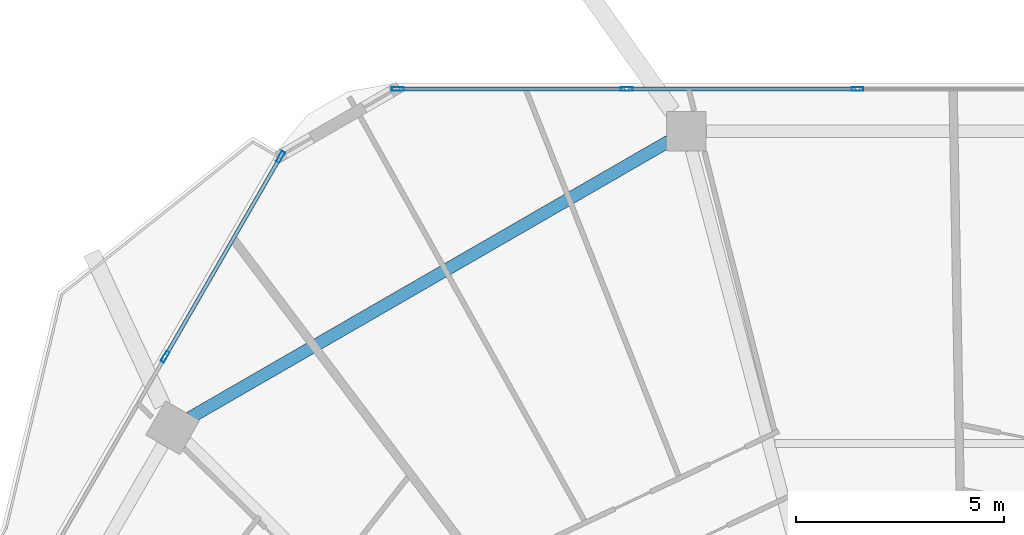
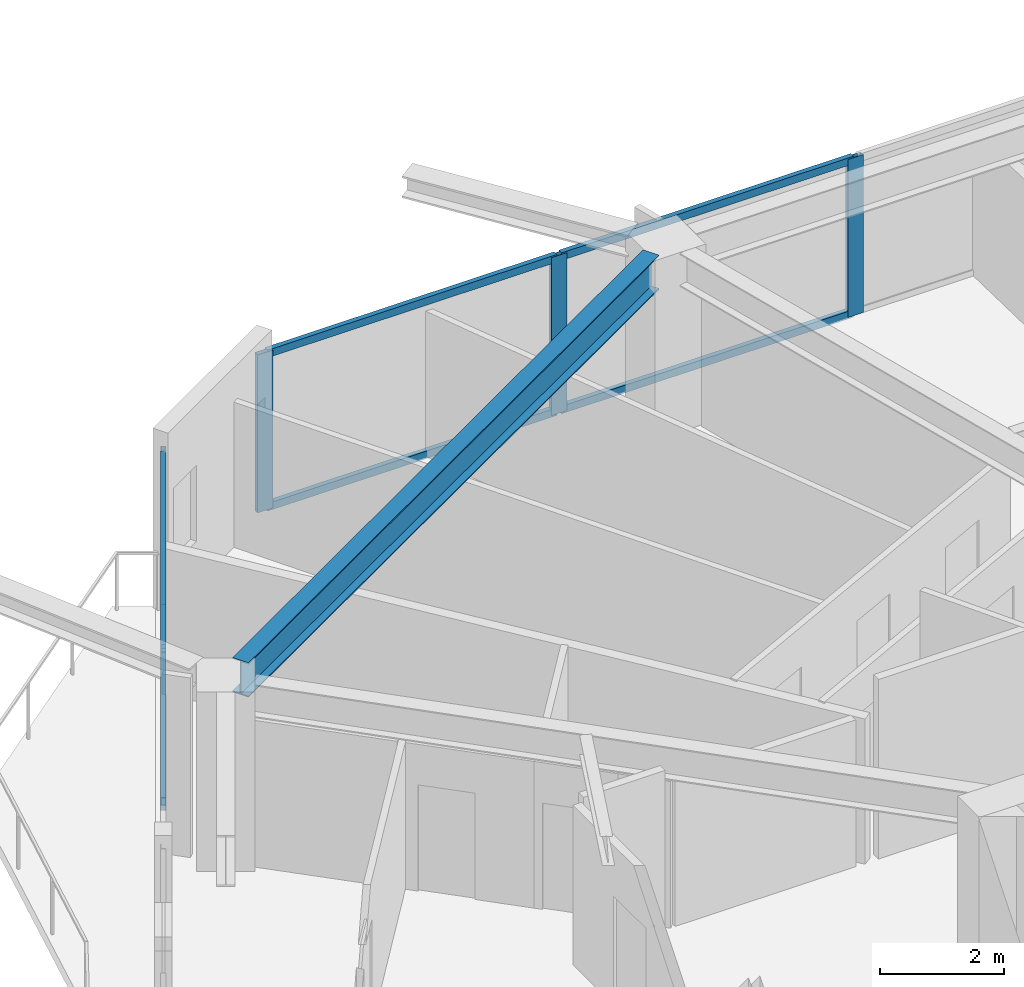
# One storey, part 13 of 27: 11 members, 1 beam, 2 elements without a shape of their own.
"""IFC4 building model written with IfcOpenShell, lengths in metres."""

from ifc_helpers import new_model, si_unit, direction, frame, origin, origin_2d, place, context, subcontext, project, spatial, hollow_rectangle, i_section, extrude, material, material_profile, profile_set, type_object, element, aggregate, save


model = new_model("IFC4")

# Units and contexts
model_context = context("Model", 3, precision=1e-05, world=origin(), true_north=direction((0.0, 1.0)))
body_context = subcontext(model_context, "Body", "Model", "MODEL_VIEW")
ifc_project = project(units=[si_unit("LENGTHUNIT", "METRE"), si_unit("AREAUNIT", "SQUARE_METRE"), si_unit("VOLUMEUNIT", "CUBIC_METRE"), si_unit("PLANEANGLEUNIT", "RADIAN"), si_unit("MASSUNIT", "GRAM", prefix="KILO")], contexts=[model_context])

# Site, building, storey
site_placement = place(None, origin())
site = spatial("IfcSite", under=ifc_project, at=site_placement, CompositionType="ELEMENT")
building_placement = place(site_placement, origin())
building = spatial("IfcBuilding", under=site, at=building_placement, Name="Zuhravey Tower", CompositionType="ELEMENT")
storey_placement = place(building_placement, frame((0.0, 0.0, 188.39990234375)))
storey = spatial("IfcBuildingStorey", under=building, at=storey_placement, Name="L47", CompositionType="ELEMENT", Elevation=188.39990234375)

# Curtain wall, members
ifc_material_1 = material(Name="Thermally broken anodised aluminium", Category="aluminium")
curtain_wall_type = type_object("IfcCurtainWallType", Name="Zone 1-2 Residential Curtain Wall CW3", PredefinedType="NOTDEFINED", material=ifc_material_1)
curtain_wall_1_placement = place(storey_placement, origin())
curtain_wall_1 = element("IfcCurtainWall", 1, at=curtain_wall_1_placement, inside=storey, type_object=curtain_wall_type, Name="L47 CW3 CW-L47-F3-2", PredefinedType="NOTDEFINED")
ifc_material_2 = material(Name="Anodised aluminium", Category="aluminium")
ifc_material_profile_1 = material_profile(ifc_material_2, hollow_rectangle(XDim=0.090087890625, YDim=0.284912109375, WallThickness=0.0048828125, at=origin_2d()), Name="ALU-RHS-90x285x5")
ifc_profile_set_1 = profile_set([ifc_material_profile_1], Name="Anodised aluminium")
member_type_1 = type_object("IfcMemberType", Name="Curtain-Wall Mullion 90x180", PredefinedType="MULLION", material=ifc_profile_set_1)
member_1_placement = place(storey_placement, frame((16.593994140625, 52.754150390625, 0.0), z_axis=(0.0, 0.0, 1.0), x_axis=(-0.866024732111, 0.50000116337, 0.0)))
member_1 = element("IfcMember", 2, at=member_1_placement, type_object=member_type_1, Name="CW3 mullion 2", PredefinedType="MULLION", context=body_context, shape_type="SweptSolid", body=[
    extrude(hollow_rectangle(XDim=0.090087890625, YDim=0.284912109375, WallThickness=0.0048828125, at=origin_2d()), origin(), (0.0, 0.0, 1.0), 3.1220703125),
])
member_2_placement = place(storey_placement, frame((19.36669921875, 57.556640625, 0.0), z_axis=(0.0, 0.0, 1.0), x_axis=(-0.866024732111, 0.50000116337, 0.0)))
member_2 = element("IfcMember", 3, at=member_2_placement, type_object=member_type_1, Name="CW3 mullion 3", PredefinedType="MULLION", context=body_context, shape_type="SweptSolid", body=[
    extrude(hollow_rectangle(XDim=0.090087890625, YDim=0.284912109375, WallThickness=0.0048828125, at=origin_2d()), origin(), (0.0, 0.0, 1.0), 3.1220703125),
])

curtain_wall_2_placement = place(storey_placement, origin())
curtain_wall_2 = element("IfcCurtainWall", 4, at=curtain_wall_2_placement, inside=storey, type_object=curtain_wall_type, Name="L47 CW3 CW-L47-F2-1", PredefinedType="NOTDEFINED")
member_3_placement = place(storey_placement, frame((22.183837890625, 59.18310546875, 0.0), z_axis=(0.0, 0.0, 1.0), x_axis=(0.0, 1.0, 0.0)))
member_3 = element("IfcMember", 5, at=member_3_placement, type_object=member_type_1, Name="CW3 mullion 1", PredefinedType="MULLION", context=body_context, shape_type="SweptSolid", body=[
    extrude(hollow_rectangle(XDim=0.090087890625, YDim=0.284912109375, WallThickness=0.0048828125, at=origin_2d()), origin(), (0.0, 0.0, 1.0), 3.1220703125),
])
member_4_placement = place(storey_placement, frame((27.683349609375, 59.18310546875, 0.0), z_axis=(0.0, 0.0, 1.0), x_axis=(0.0, 1.0, 0.0)))
member_4 = element("IfcMember", 6, at=member_4_placement, type_object=member_type_1, Name="CW3 mullion 2", PredefinedType="MULLION", context=body_context, shape_type="SweptSolid", body=[
    extrude(hollow_rectangle(XDim=0.090087890625, YDim=0.284912109375, WallThickness=0.0048828125, at=origin_2d()), origin(), (0.0, 0.0, 1.0), 3.1220703125),
])
member_5_placement = place(storey_placement, frame((33.227783203125, 59.18310546875, 0.0), z_axis=(0.0, 0.0, 1.0), x_axis=(0.0, 1.0, 0.0)))
member_5 = element("IfcMember", 7, at=member_5_placement, type_object=member_type_1, Name="CW3 mullion 3", PredefinedType="MULLION", context=body_context, shape_type="SweptSolid", body=[
    extrude(hollow_rectangle(XDim=0.090087890625, YDim=0.284912109375, WallThickness=0.0048828125, at=origin_2d()), origin(), (0.0, 0.0, 1.0), 3.1220703125),
])

# Member
ifc_material_profile_2 = material_profile(ifc_material_2, hollow_rectangle(XDim=0.090087890625, YDim=0.14990234375, WallThickness=0.0048828125, at=origin_2d()), Name="ALU-RHS-90x150x5")
ifc_profile_set_2 = profile_set([ifc_material_profile_2], Name="Anodised aluminium")
member_type_2 = type_object("IfcMemberType", Name="Curtain-Wall Transom 90x150", PredefinedType="USERDEFINED", material=ifc_profile_set_2)
member_6_placement = place(storey_placement, frame((16.616455078125, 52.79296875, 0.045166015625), z_axis=(0.500003946727, 0.866023125129, 0.0), x_axis=(-0.866023125129, 0.500003946727, 0.0)))
member_6 = element("IfcMember", 8, at=member_6_placement, type_object=member_type_2, Name="CW3 transom 2.1", ObjectType="TRANSOM", PredefinedType="USERDEFINED", context=body_context, shape_type="SweptSolid", body=[
    extrude(hollow_rectangle(XDim=0.090087890625, YDim=0.14990234375, WallThickness=0.0048828125, at=origin_2d()), origin(), (0.0, 0.0, 1.0), 5.45556640625),
])

member_7_placement = place(storey_placement, frame((16.616455078125, 52.79296875, 3.0771484375), z_axis=(0.500003946727, 0.866023125129, 0.0), x_axis=(-0.866023125129, 0.500003946727, 0.0)))
member_7 = element("IfcMember", 9, at=member_7_placement, type_object=member_type_2, Name="CW3 transom 2.2", ObjectType="TRANSOM", PredefinedType="USERDEFINED", context=body_context, shape_type="SweptSolid", body=[
    extrude(hollow_rectangle(XDim=0.090087890625, YDim=0.14990234375, WallThickness=0.0048828125, at=origin_2d()), origin(), (0.0, 0.0, 1.0), 5.45556640625),
])

aggregate(curtain_wall_1, [member_1, member_2, member_6, member_7])

member_8_placement = place(storey_placement, frame((22.22900390625, 59.18310546875, 0.045166015625), z_axis=(1.0, 0.0, 0.0), x_axis=(0.0, 1.0, 0.0)))
member_8 = element("IfcMember", 10, at=member_8_placement, type_object=member_type_2, Name="CW3 transom 1.1", ObjectType="TRANSOM", PredefinedType="USERDEFINED", context=body_context, shape_type="SweptSolid", body=[
    extrude(hollow_rectangle(XDim=0.090087890625, YDim=0.14990234375, WallThickness=0.0048828125, at=origin_2d()), origin(), (0.0, 0.0, 1.0), 5.409423828125),
])

member_9_placement = place(storey_placement, frame((22.22900390625, 59.18310546875, 3.0771484375), z_axis=(1.0, 0.0, 0.0), x_axis=(0.0, 1.0, 0.0)))
member_9 = element("IfcMember", 11, at=member_9_placement, type_object=member_type_2, Name="CW3 transom 1.2", ObjectType="TRANSOM", PredefinedType="USERDEFINED", context=body_context, shape_type="SweptSolid", body=[
    extrude(hollow_rectangle(XDim=0.090087890625, YDim=0.14990234375, WallThickness=0.0048828125, at=origin_2d()), origin(), (0.0, 0.0, 1.0), 5.409423828125),
])

member_10_placement = place(storey_placement, frame((27.728271484375, 59.18310546875, 0.045166015625), z_axis=(1.0, 0.0, 0.0), x_axis=(0.0, 1.0, 0.0)))
member_10 = element("IfcMember", 12, at=member_10_placement, type_object=member_type_2, Name="CW3 transom 2.1", ObjectType="TRANSOM", PredefinedType="USERDEFINED", context=body_context, shape_type="SweptSolid", body=[
    extrude(hollow_rectangle(XDim=0.090087890625, YDim=0.14990234375, WallThickness=0.0048828125, at=origin_2d()), origin(), (0.0, 0.0, 1.0), 5.45458984375),
])

member_11_placement = place(storey_placement, frame((27.728271484375, 59.18310546875, 3.0771484375), z_axis=(1.0, 0.0, 0.0), x_axis=(0.0, 1.0, 0.0)))
member_11 = element("IfcMember", 13, at=member_11_placement, type_object=member_type_2, Name="CW3 transom 2.2", ObjectType="TRANSOM", PredefinedType="USERDEFINED", context=body_context, shape_type="SweptSolid", body=[
    extrude(hollow_rectangle(XDim=0.090087890625, YDim=0.14990234375, WallThickness=0.0048828125, at=origin_2d()), origin(), (0.0, 0.0, 1.0), 5.45458984375),
])

aggregate(curtain_wall_2, [member_3, member_4, member_5, member_8, member_9, member_10, member_11])

# Beam
ifc_material_3 = material(Name="Steel SM355", Category="steel")
ifc_material_profile_3 = material_profile(ifc_material_3, i_section(OverallWidth=0.300048828125, OverallDepth=0.679931640625, WebThickness=0.012939453125, FlangeThickness=0.02197265625, at=origin_2d()), Name="H-680x300x13x22")
ifc_profile_set_3 = profile_set([ifc_material_profile_3], Name="Steel SM355")
beam_type = type_object("IfcBeamType", Name="Perimeter Ring Beam H680x300", PredefinedType="BEAM", material=ifc_profile_set_3)
beam_placement = place(storey_placement, frame((28.7041015625, 57.93408203125, 3.210205078125), z_axis=(-0.866029041019, -0.499993700073, 0.0), x_axis=(0.499993700073, -0.866029041019, 0.0)))
element("IfcBeam", 14, at=beam_placement, inside=storey, type_object=beam_type, Name="L47 PB2 BM-L47-PB-04", PredefinedType="BEAM", context=body_context, shape_type="SweptSolid", body=[
    extrude(i_section(OverallWidth=0.300048828125, OverallDepth=0.679931640625, WebThickness=0.012939453125, FlangeThickness=0.02197265625, at=origin_2d()), origin(), (0.0, 0.0, 1.0), 13.297119140625),
])

save(model, "model.ifc")
